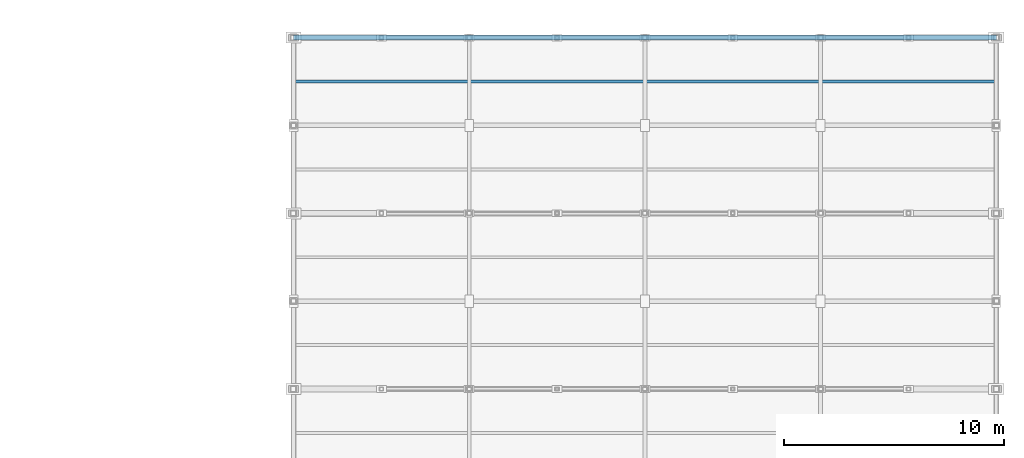
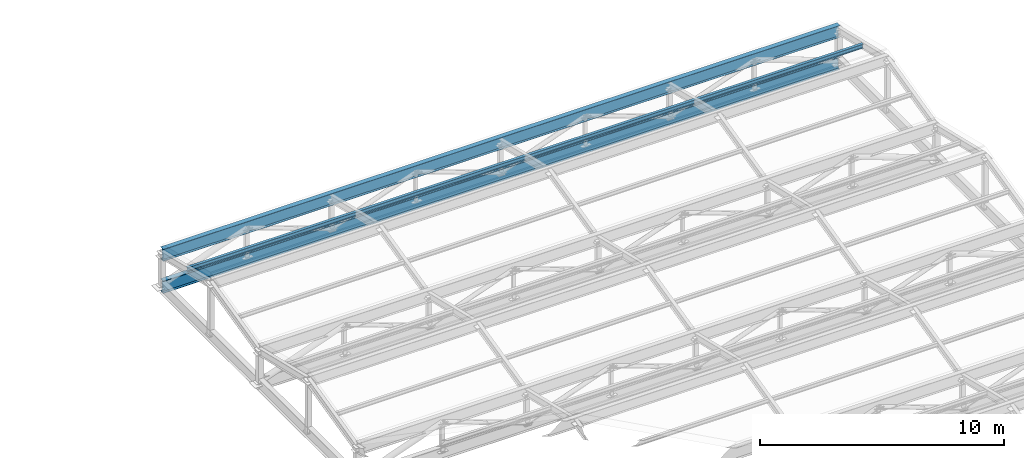
# One storey, part 64 of 112: 3 members.
"""IFC4 building model written with IfcOpenShell, lengths in metres."""

from ifc_helpers import new_model, si_unit, direction, frame, origin, origin_2d, place, context, subcontext, project, spatial, i_section, extrude, material, material_profile, profile_set, type_object, element, save


model = new_model("IFC4")

# Units and contexts
model_context = context("Model", 3, precision=1e-05, world=origin(), true_north=direction((0.0, 1.0)))
body_context = subcontext(model_context, "Body", "Model", "MODEL_VIEW")
ifc_project = project(units=[si_unit("LENGTHUNIT", "METRE"), si_unit("AREAUNIT", "SQUARE_METRE"), si_unit("VOLUMEUNIT", "CUBIC_METRE"), si_unit("PLANEANGLEUNIT", "RADIAN"), si_unit("MASSUNIT", "GRAM", prefix="KILO")], contexts=[model_context])

# Site, building, storey
site_placement = place(None, origin())
site = spatial("IfcSite", under=ifc_project, at=site_placement, CompositionType="ELEMENT")
building_placement = place(site_placement, origin())
building = spatial("IfcBuilding", under=site, at=building_placement, Name="Celadon Cloister-Ring School", CompositionType="ELEMENT")
storey_placement = place(building_placement, frame((0.0, 0.0, 8.5)))
storey = spatial("IfcBuildingStorey", under=building, at=storey_placement, Name="L02", CompositionType="ELEMENT", Elevation=8.5)

# Members
ifc_material_1 = material(Name="Structural steel S355JR", Category="steel")
ifc_material_profile_1 = material_profile(ifc_material_1, i_section(OverallWidth=0.22900390625, OverallDepth=0.612060546875, WebThickness=0.011962890625, FlangeThickness=0.01953125, at=origin_2d()), Name="W610X125")
ifc_profile_set_1 = profile_set([ifc_material_profile_1], Name="Structural steel S355JR")
member_type_1 = type_object("IfcMemberType", Name="MC-01", PredefinedType="CHORD", material=ifc_profile_set_1)
member_1_placement = place(storey_placement, frame((142.0, 114.0, 0.89990234375), z_axis=(1.0, 0.0, 0.0), x_axis=(0.0, 1.0, 0.0)))
element("IfcMember", 1, at=member_1_placement, inside=storey, type_object=member_type_1, Name="Structural Member 0490", PredefinedType="CHORD", context=body_context, shape_type="SweptSolid", body=[
    extrude(i_section(OverallWidth=0.22900390625, OverallDepth=0.612060546875, WebThickness=0.011962890625, FlangeThickness=0.01953125, at=origin_2d()), origin(), (0.0, 0.0, 1.0), 32.0),
])
ifc_material_2 = material(Name="Structural steel S355JR", Category="steel")
ifc_material_profile_2 = material_profile(ifc_material_2, i_section(OverallWidth=0.22802734375, OverallDepth=0.60302734375, WebThickness=0.010498046875, FlangeThickness=0.014892578125, at=origin_2d()), Name="W610X101")
ifc_profile_set_2 = profile_set([ifc_material_profile_2], Name="Structural steel S355JR")
member_type_2 = type_object("IfcMemberType", Name="MC-02", PredefinedType="CHORD", material=ifc_profile_set_2)
member_2_placement = place(storey_placement, frame((142.0, 114.0, 2.5), z_axis=(1.0, 0.0, 0.0), x_axis=(0.0, 1.0, 0.0)))
element("IfcMember", 2, at=member_2_placement, inside=storey, type_object=member_type_2, Name="Structural Member 0491", PredefinedType="CHORD", context=body_context, shape_type="SweptSolid", body=[
    extrude(i_section(OverallWidth=0.22802734375, OverallDepth=0.60302734375, WebThickness=0.010498046875, FlangeThickness=0.014892578125, at=origin_2d()), origin(), (0.0, 0.0, 1.0), 32.0),
])
ifc_material_3 = material(Name="Structural steel S355JR", Category="steel")
ifc_material_profile_3 = material_profile(ifc_material_3, i_section(OverallWidth=0.133056640625, OverallDepth=0.20703125, WebThickness=0.005859375, FlangeThickness=0.00830078125, at=origin_2d()), Name="W200X27")
ifc_profile_set_3 = profile_set([ifc_material_profile_3], Name="Structural steel S355JR")
member_type_3 = type_object("IfcMemberType", Name="MP-04", PredefinedType="PURLIN", material=ifc_profile_set_3)
member_3_placement = place(storey_placement, frame((142.02001953125, 112.0, 2.949951171875), z_axis=(1.0, 0.0, 0.0), x_axis=(0.0, 1.0, 0.0)))
element("IfcMember", 3, at=member_3_placement, inside=storey, type_object=member_type_3, Name="Structural Member 0581", PredefinedType="PURLIN", context=body_context, shape_type="SweptSolid", body=[
    extrude(i_section(OverallWidth=0.133056640625, OverallDepth=0.20703125, WebThickness=0.005859375, FlangeThickness=0.00830078125, at=origin_2d()), origin(), (0.0, 0.0, 1.0), 31.9599609375),
])

save(model, "model.ifc")
